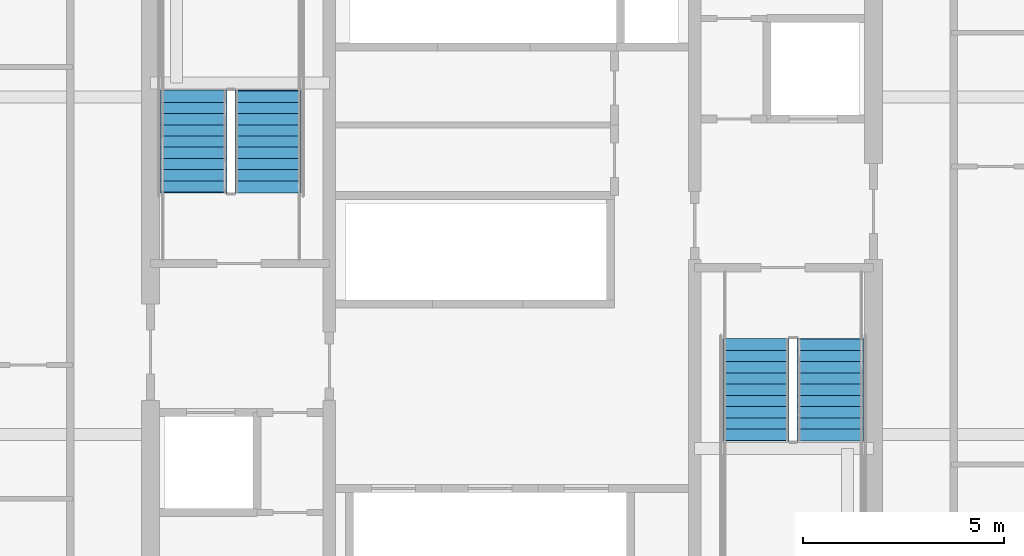
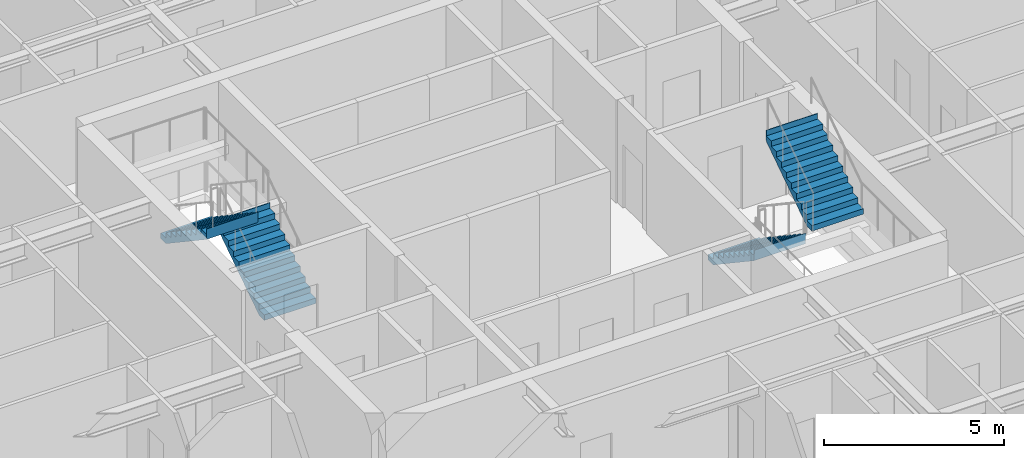
# One storey, part 34 of 41: 4 stair flights, 2 elements without a shape of their own.
"""IFC4 building model written with IfcOpenShell, lengths in metres."""

from ifc_helpers import new_model, si_unit, direction, frame, origin, place, context, subcontext, project, spatial, polygons, material, type_object, element, aggregate, save


model = new_model("IFC4")

# Units and contexts
model_context = context("Model", 3, precision=1e-05, world=origin(), true_north=direction((0.0, 1.0)))
body_context = subcontext(model_context, "Body", "Model", "MODEL_VIEW")
ifc_project = project(units=[si_unit("LENGTHUNIT", "METRE"), si_unit("AREAUNIT", "SQUARE_METRE"), si_unit("VOLUMEUNIT", "CUBIC_METRE"), si_unit("PLANEANGLEUNIT", "RADIAN"), si_unit("MASSUNIT", "GRAM", prefix="KILO")], contexts=[model_context])

# Site, building, storey
site_placement = place(None, origin())
site = spatial("IfcSite", under=ifc_project, at=site_placement, CompositionType="ELEMENT")
building_placement = place(site_placement, origin())
building = spatial("IfcBuilding", under=site, at=building_placement, Name="Serunith Strait Residences", CompositionType="ELEMENT")
storey_placement = place(building_placement, frame((0.0, 0.0, 75.449951171875)))
storey = spatial("IfcBuildingStorey", under=building, at=storey_placement, Name="L18", CompositionType="ELEMENT", Elevation=75.449951171875)

# Stair, stair flights
ifc_material = material(Name="Concrete C50/60", Category="concrete")
stair_type_1 = type_object("IfcStairType", Name="STR-CORE-1", PredefinedType="HALF_TURN_STAIR", material=ifc_material)
stair_1_placement = place(storey_placement, origin())
stair_1 = element("IfcStair", 1, at=stair_1_placement, inside=storey, type_object=stair_type_1, Name="L18 Protected Escape Stair ST-1", PredefinedType="HALF_TURN_STAIR")
stair_flight_type_1 = type_object("IfcStairFlightType", Name="FLT-CORE-1", PredefinedType="STRAIGHT", material=ifc_material)
stair_flight_1_placement = place(storey_placement, frame((26.324951171875, 27.030029296875, 0.0), z_axis=(0.0, 0.0, 1.0), x_axis=(0.0, 1.0, 0.0)))
stair_flight_1 = element("IfcStairFlight", 2, at=stair_flight_1_placement, type_object=stair_flight_type_1, Name="ST-1 flight 1", NumberOfRisers=10, NumberOfTreads=9, PredefinedType="STRAIGHT", RiserHeight=0.1875, TreadLength=0.28, context=body_context, shape_type="Tessellation", body=[
    polygons([(-0.02001953125, -0.824951171875, 0.0), (-0.02001953125, -0.824951171875, 0.1875), (0.280029296875, -0.824951171875, 0.1875), (0.280029296875, -0.824951171875, 0.375), (0.56005859375, -0.824951171875, 0.375), (0.56005859375, -0.824951171875, 0.5625), (0.840087890625, -0.824951171875, 0.5625), (0.840087890625, -0.824951171875, 0.75), (1.1201171875, -0.824951171875, 0.75), (1.1201171875, -0.824951171875, 0.9375), (1.39990234375, -0.824951171875, 0.9375), (1.39990234375, -0.824951171875, 1.125), (1.679931640625, -0.824951171875, 1.125), (1.679931640625, -0.824951171875, 1.3125), (1.9599609375, -0.824951171875, 1.3125), (1.9599609375, -0.824951171875, 1.5), (2.239990234375, -0.824951171875, 1.5), (2.239990234375, -0.824951171875, 1.6875), (2.52001953125, -0.824951171875, 1.6875), (2.52001953125, -0.824951171875, 1.875), (2.5400390625, -0.824951171875, 1.875), (2.5400390625, -0.824951171875, 1.81494140625), (2.52001953125, -0.824951171875, 1.507080078125), (0.26953125, -0.824951171875, 0.0), (-0.02001953125, -0.41259765625, 0.0), (-0.02001953125, -0.41259765625, 0.1875), (0.280029296875, -0.41259765625, 0.1875), (0.280029296875, -0.41259765625, 0.375), (0.56005859375, -0.41259765625, 0.375), (0.56005859375, -0.41259765625, 0.5625), (0.840087890625, -0.41259765625, 0.5625), (0.840087890625, -0.41259765625, 0.75), (1.1201171875, -0.41259765625, 0.75), (1.1201171875, -0.41259765625, 0.9375), (1.39990234375, -0.41259765625, 0.9375), (1.39990234375, -0.41259765625, 1.125), (1.679931640625, -0.41259765625, 1.125), (1.679931640625, -0.41259765625, 1.3125), (1.9599609375, -0.41259765625, 1.3125), (1.9599609375, -0.41259765625, 1.5), (2.239990234375, -0.41259765625, 1.5), (2.239990234375, -0.41259765625, 1.6875), (2.52001953125, -0.41259765625, 1.6875), (2.52001953125, -0.41259765625, 1.875), (2.5400390625, -0.41259765625, 1.875), (2.5400390625, -0.41259765625, 1.81494140625), (2.52001953125, -0.41259765625, 1.507080078125), (0.26953125, -0.41259765625, 0.0), (-0.02001953125, 0.0, 0.0), (-0.02001953125, 0.0, 0.1875), (0.280029296875, 0.0, 0.1875), (0.280029296875, 0.0, 0.375), (0.56005859375, 0.0, 0.375), (0.56005859375, 0.0, 0.5625), (0.840087890625, 0.0, 0.5625), (0.840087890625, 0.0, 0.75), (1.1201171875, 0.0, 0.75), (1.1201171875, 0.0, 0.9375), (1.39990234375, 0.0, 0.9375), (1.39990234375, 0.0, 1.125), (1.679931640625, 0.0, 1.125), (1.679931640625, 0.0, 1.3125), (1.9599609375, 0.0, 1.3125), (1.9599609375, 0.0, 1.5), (2.239990234375, 0.0, 1.5), (2.239990234375, 0.0, 1.6875), (2.52001953125, 0.0, 1.6875), (2.52001953125, 0.0, 1.875), (2.5400390625, 0.0, 1.875), (2.5400390625, 0.0, 1.81494140625), (2.52001953125, 0.0, 1.507080078125), (0.26953125, 0.0, 0.0), (-0.02001953125, 0.41259765625, 0.0), (-0.02001953125, 0.41259765625, 0.1875), (0.280029296875, 0.41259765625, 0.1875), (0.280029296875, 0.41259765625, 0.375), (0.56005859375, 0.41259765625, 0.375), (0.56005859375, 0.41259765625, 0.5625), (0.840087890625, 0.41259765625, 0.5625), (0.840087890625, 0.41259765625, 0.75), (1.1201171875, 0.41259765625, 0.75), (1.1201171875, 0.41259765625, 0.9375), (1.39990234375, 0.41259765625, 0.9375), (1.39990234375, 0.41259765625, 1.125), (1.679931640625, 0.41259765625, 1.125), (1.679931640625, 0.41259765625, 1.3125), (1.9599609375, 0.41259765625, 1.3125), (1.9599609375, 0.41259765625, 1.5), (2.239990234375, 0.41259765625, 1.5), (2.239990234375, 0.41259765625, 1.6875), (2.52001953125, 0.41259765625, 1.6875), (2.52001953125, 0.41259765625, 1.875), (2.5400390625, 0.41259765625, 1.875), (2.5400390625, 0.41259765625, 1.81494140625), (2.52001953125, 0.41259765625, 1.507080078125), (0.26953125, 0.41259765625, 0.0), (-0.02001953125, 0.824951171875, 0.0), (-0.02001953125, 0.824951171875, 0.1875), (0.280029296875, 0.824951171875, 0.1875), (0.280029296875, 0.824951171875, 0.375), (0.56005859375, 0.824951171875, 0.375), (0.56005859375, 0.824951171875, 0.5625), (0.840087890625, 0.824951171875, 0.5625), (0.840087890625, 0.824951171875, 0.75), (1.1201171875, 0.824951171875, 0.75), (1.1201171875, 0.824951171875, 0.9375), (1.39990234375, 0.824951171875, 0.9375), (1.39990234375, 0.824951171875, 1.125), (1.679931640625, 0.824951171875, 1.125), (1.679931640625, 0.824951171875, 1.3125), (1.9599609375, 0.824951171875, 1.3125), (1.9599609375, 0.824951171875, 1.5), (2.239990234375, 0.824951171875, 1.5), (2.239990234375, 0.824951171875, 1.6875), (2.52001953125, 0.824951171875, 1.6875), (2.52001953125, 0.824951171875, 1.875), (2.5400390625, 0.824951171875, 1.875), (2.5400390625, 0.824951171875, 1.81494140625), (2.52001953125, 0.824951171875, 1.507080078125), (0.26953125, 0.824951171875, 0.0)], [[[1, 2, 26, 25]], [[2, 3, 27, 26]], [[3, 4, 28, 27]], [[4, 5, 29, 28]], [[5, 6, 30, 29]], [[6, 7, 31, 30]], [[7, 8, 32, 31]], [[8, 9, 33, 32]], [[9, 10, 34, 33]], [[10, 11, 35, 34]], [[11, 12, 36, 35]], [[12, 13, 37, 36]], [[13, 14, 38, 37]], [[14, 15, 39, 38]], [[15, 16, 40, 39]], [[16, 17, 41, 40]], [[17, 18, 42, 41]], [[18, 19, 43, 42]], [[19, 20, 44, 43]], [[20, 21, 45, 44]], [[21, 22, 46, 45]], [[22, 23, 47, 46]], [[23, 24, 48, 47]], [[24, 1, 25, 48]], [[25, 26, 50, 49]], [[26, 27, 51, 50]], [[27, 28, 52, 51]], [[28, 29, 53, 52]], [[29, 30, 54, 53]], [[30, 31, 55, 54]], [[31, 32, 56, 55]], [[32, 33, 57, 56]], [[33, 34, 58, 57]], [[34, 35, 59, 58]], [[35, 36, 60, 59]], [[36, 37, 61, 60]], [[37, 38, 62, 61]], [[38, 39, 63, 62]], [[39, 40, 64, 63]], [[40, 41, 65, 64]], [[41, 42, 66, 65]], [[42, 43, 67, 66]], [[43, 44, 68, 67]], [[44, 45, 69, 68]], [[45, 46, 70, 69]], [[46, 47, 71, 70]], [[47, 48, 72, 71]], [[48, 25, 49, 72]], [[49, 50, 74, 73]], [[50, 51, 75, 74]], [[51, 52, 76, 75]], [[52, 53, 77, 76]], [[53, 54, 78, 77]], [[54, 55, 79, 78]], [[55, 56, 80, 79]], [[56, 57, 81, 80]], [[57, 58, 82, 81]], [[58, 59, 83, 82]], [[59, 60, 84, 83]], [[60, 61, 85, 84]], [[61, 62, 86, 85]], [[62, 63, 87, 86]], [[63, 64, 88, 87]], [[64, 65, 89, 88]], [[65, 66, 90, 89]], [[66, 67, 91, 90]], [[67, 68, 92, 91]], [[68, 69, 93, 92]], [[69, 70, 94, 93]], [[70, 71, 95, 94]], [[71, 72, 96, 95]], [[72, 49, 73, 96]], [[73, 74, 98, 97]], [[74, 75, 99, 98]], [[75, 76, 100, 99]], [[76, 77, 101, 100]], [[77, 78, 102, 101]], [[78, 79, 103, 102]], [[79, 80, 104, 103]], [[80, 81, 105, 104]], [[81, 82, 106, 105]], [[82, 83, 107, 106]], [[83, 84, 108, 107]], [[84, 85, 109, 108]], [[85, 86, 110, 109]], [[86, 87, 111, 110]], [[87, 88, 112, 111]], [[88, 89, 113, 112]], [[89, 90, 114, 113]], [[90, 91, 115, 114]], [[91, 92, 116, 115]], [[92, 93, 117, 116]], [[93, 94, 118, 117]], [[94, 95, 119, 118]], [[95, 96, 120, 119]], [[96, 73, 97, 120]], [[24, 23, 22, 21, 20, 19, 18, 17, 16, 15, 14, 13, 12, 11, 10, 9, 8, 7, 6, 5, 4, 3, 2, 1]], [[97, 98, 99, 100, 101, 102, 103, 104, 105, 106, 107, 108, 109, 110, 111, 112, 113, 114, 115, 116, 117, 118, 119, 120]]], closed=True),
])
stair_flight_2_placement = place(storey_placement, frame((24.47509765625, 29.550048828125, 1.875), z_axis=(0.0, 0.0, 1.0), x_axis=(0.0, -1.0, 0.0)))
stair_flight_2 = element("IfcStairFlight", 3, at=stair_flight_2_placement, type_object=stair_flight_type_1, Name="ST-1 flight 2", NumberOfRisers=10, NumberOfTreads=9, PredefinedType="STRAIGHT", RiserHeight=0.1875, TreadLength=0.28, context=body_context, shape_type="Tessellation", body=[
    polygons([(-0.02001953125, -0.824951171875, 0.0), (-0.02001953125, -0.824951171875, 0.1875), (0.280029296875, -0.824951171875, 0.1875), (0.280029296875, -0.824951171875, 0.375), (0.56005859375, -0.824951171875, 0.375), (0.56005859375, -0.824951171875, 0.5625), (0.840087890625, -0.824951171875, 0.5625), (0.840087890625, -0.824951171875, 0.75), (1.1201171875, -0.824951171875, 0.75), (1.1201171875, -0.824951171875, 0.9375), (1.39990234375, -0.824951171875, 0.9375), (1.39990234375, -0.824951171875, 1.125), (1.679931640625, -0.824951171875, 1.125), (1.679931640625, -0.824951171875, 1.3125), (1.9599609375, -0.824951171875, 1.3125), (1.9599609375, -0.824951171875, 1.5), (2.239990234375, -0.824951171875, 1.5), (2.239990234375, -0.824951171875, 1.6875), (2.52001953125, -0.824951171875, 1.6875), (2.52001953125, -0.824951171875, 1.875), (2.5400390625, -0.824951171875, 1.875), (2.5400390625, -0.824951171875, 1.81494140625), (2.52001953125, -0.824951171875, 1.507080078125), (0.26953125, -0.824951171875, 0.0), (-0.02001953125, -0.41259765625, 0.0), (-0.02001953125, -0.41259765625, 0.1875), (0.280029296875, -0.41259765625, 0.1875), (0.280029296875, -0.41259765625, 0.375), (0.56005859375, -0.41259765625, 0.375), (0.56005859375, -0.41259765625, 0.5625), (0.840087890625, -0.41259765625, 0.5625), (0.840087890625, -0.41259765625, 0.75), (1.1201171875, -0.41259765625, 0.75), (1.1201171875, -0.41259765625, 0.9375), (1.39990234375, -0.41259765625, 0.9375), (1.39990234375, -0.41259765625, 1.125), (1.679931640625, -0.41259765625, 1.125), (1.679931640625, -0.41259765625, 1.3125), (1.9599609375, -0.41259765625, 1.3125), (1.9599609375, -0.41259765625, 1.5), (2.239990234375, -0.41259765625, 1.5), (2.239990234375, -0.41259765625, 1.6875), (2.52001953125, -0.41259765625, 1.6875), (2.52001953125, -0.41259765625, 1.875), (2.5400390625, -0.41259765625, 1.875), (2.5400390625, -0.41259765625, 1.81494140625), (2.52001953125, -0.41259765625, 1.507080078125), (0.26953125, -0.41259765625, 0.0), (-0.02001953125, 0.0, 0.0), (-0.02001953125, 0.0, 0.1875), (0.280029296875, 0.0, 0.1875), (0.280029296875, 0.0, 0.375), (0.56005859375, 0.0, 0.375), (0.56005859375, 0.0, 0.5625), (0.840087890625, 0.0, 0.5625), (0.840087890625, 0.0, 0.75), (1.1201171875, 0.0, 0.75), (1.1201171875, 0.0, 0.9375), (1.39990234375, 0.0, 0.9375), (1.39990234375, 0.0, 1.125), (1.679931640625, 0.0, 1.125), (1.679931640625, 0.0, 1.3125), (1.9599609375, 0.0, 1.3125), (1.9599609375, 0.0, 1.5), (2.239990234375, 0.0, 1.5), (2.239990234375, 0.0, 1.6875), (2.52001953125, 0.0, 1.6875), (2.52001953125, 0.0, 1.875), (2.5400390625, 0.0, 1.875), (2.5400390625, 0.0, 1.81494140625), (2.52001953125, 0.0, 1.507080078125), (0.26953125, 0.0, 0.0), (-0.02001953125, 0.41259765625, 0.0), (-0.02001953125, 0.41259765625, 0.1875), (0.280029296875, 0.41259765625, 0.1875), (0.280029296875, 0.41259765625, 0.375), (0.56005859375, 0.41259765625, 0.375), (0.56005859375, 0.41259765625, 0.5625), (0.840087890625, 0.41259765625, 0.5625), (0.840087890625, 0.41259765625, 0.75), (1.1201171875, 0.41259765625, 0.75), (1.1201171875, 0.41259765625, 0.9375), (1.39990234375, 0.41259765625, 0.9375), (1.39990234375, 0.41259765625, 1.125), (1.679931640625, 0.41259765625, 1.125), (1.679931640625, 0.41259765625, 1.3125), (1.9599609375, 0.41259765625, 1.3125), (1.9599609375, 0.41259765625, 1.5), (2.239990234375, 0.41259765625, 1.5), (2.239990234375, 0.41259765625, 1.6875), (2.52001953125, 0.41259765625, 1.6875), (2.52001953125, 0.41259765625, 1.875), (2.5400390625, 0.41259765625, 1.875), (2.5400390625, 0.41259765625, 1.81494140625), (2.52001953125, 0.41259765625, 1.507080078125), (0.26953125, 0.41259765625, 0.0), (-0.02001953125, 0.824951171875, 0.0), (-0.02001953125, 0.824951171875, 0.1875), (0.280029296875, 0.824951171875, 0.1875), (0.280029296875, 0.824951171875, 0.375), (0.56005859375, 0.824951171875, 0.375), (0.56005859375, 0.824951171875, 0.5625), (0.840087890625, 0.824951171875, 0.5625), (0.840087890625, 0.824951171875, 0.75), (1.1201171875, 0.824951171875, 0.75), (1.1201171875, 0.824951171875, 0.9375), (1.39990234375, 0.824951171875, 0.9375), (1.39990234375, 0.824951171875, 1.125), (1.679931640625, 0.824951171875, 1.125), (1.679931640625, 0.824951171875, 1.3125), (1.9599609375, 0.824951171875, 1.3125), (1.9599609375, 0.824951171875, 1.5), (2.239990234375, 0.824951171875, 1.5), (2.239990234375, 0.824951171875, 1.6875), (2.52001953125, 0.824951171875, 1.6875), (2.52001953125, 0.824951171875, 1.875), (2.5400390625, 0.824951171875, 1.875), (2.5400390625, 0.824951171875, 1.81494140625), (2.52001953125, 0.824951171875, 1.507080078125), (0.26953125, 0.824951171875, 0.0)], [[[1, 2, 26, 25]], [[2, 3, 27, 26]], [[3, 4, 28, 27]], [[4, 5, 29, 28]], [[5, 6, 30, 29]], [[6, 7, 31, 30]], [[7, 8, 32, 31]], [[8, 9, 33, 32]], [[9, 10, 34, 33]], [[10, 11, 35, 34]], [[11, 12, 36, 35]], [[12, 13, 37, 36]], [[13, 14, 38, 37]], [[14, 15, 39, 38]], [[15, 16, 40, 39]], [[16, 17, 41, 40]], [[17, 18, 42, 41]], [[18, 19, 43, 42]], [[19, 20, 44, 43]], [[20, 21, 45, 44]], [[21, 22, 46, 45]], [[22, 23, 47, 46]], [[23, 24, 48, 47]], [[24, 1, 25, 48]], [[25, 26, 50, 49]], [[26, 27, 51, 50]], [[27, 28, 52, 51]], [[28, 29, 53, 52]], [[29, 30, 54, 53]], [[30, 31, 55, 54]], [[31, 32, 56, 55]], [[32, 33, 57, 56]], [[33, 34, 58, 57]], [[34, 35, 59, 58]], [[35, 36, 60, 59]], [[36, 37, 61, 60]], [[37, 38, 62, 61]], [[38, 39, 63, 62]], [[39, 40, 64, 63]], [[40, 41, 65, 64]], [[41, 42, 66, 65]], [[42, 43, 67, 66]], [[43, 44, 68, 67]], [[44, 45, 69, 68]], [[45, 46, 70, 69]], [[46, 47, 71, 70]], [[47, 48, 72, 71]], [[48, 25, 49, 72]], [[49, 50, 74, 73]], [[50, 51, 75, 74]], [[51, 52, 76, 75]], [[52, 53, 77, 76]], [[53, 54, 78, 77]], [[54, 55, 79, 78]], [[55, 56, 80, 79]], [[56, 57, 81, 80]], [[57, 58, 82, 81]], [[58, 59, 83, 82]], [[59, 60, 84, 83]], [[60, 61, 85, 84]], [[61, 62, 86, 85]], [[62, 63, 87, 86]], [[63, 64, 88, 87]], [[64, 65, 89, 88]], [[65, 66, 90, 89]], [[66, 67, 91, 90]], [[67, 68, 92, 91]], [[68, 69, 93, 92]], [[69, 70, 94, 93]], [[70, 71, 95, 94]], [[71, 72, 96, 95]], [[72, 49, 73, 96]], [[73, 74, 98, 97]], [[74, 75, 99, 98]], [[75, 76, 100, 99]], [[76, 77, 101, 100]], [[77, 78, 102, 101]], [[78, 79, 103, 102]], [[79, 80, 104, 103]], [[80, 81, 105, 104]], [[81, 82, 106, 105]], [[82, 83, 107, 106]], [[83, 84, 108, 107]], [[84, 85, 109, 108]], [[85, 86, 110, 109]], [[86, 87, 111, 110]], [[87, 88, 112, 111]], [[88, 89, 113, 112]], [[89, 90, 114, 113]], [[90, 91, 115, 114]], [[91, 92, 116, 115]], [[92, 93, 117, 116]], [[93, 94, 118, 117]], [[94, 95, 119, 118]], [[95, 96, 120, 119]], [[96, 73, 97, 120]], [[24, 23, 22, 21, 20, 19, 18, 17, 16, 15, 14, 13, 12, 11, 10, 9, 8, 7, 6, 5, 4, 3, 2, 1]], [[97, 98, 99, 100, 101, 102, 103, 104, 105, 106, 107, 108, 109, 110, 111, 112, 113, 114, 115, 116, 117, 118, 119, 120]]], closed=True),
])
aggregate(stair_1, [stair_flight_1, stair_flight_2])

stair_type_2 = type_object("IfcStairType", Name="STR-CORE-2", PredefinedType="HALF_TURN_STAIR", material=ifc_material)
stair_2_placement = place(storey_placement, origin())
stair_2 = element("IfcStair", 4, at=stair_2_placement, inside=storey, type_object=stair_type_2, Name="L18 Protected Escape Stair ST-2", PredefinedType="HALF_TURN_STAIR")
stair_flight_type_2 = type_object("IfcStairFlightType", Name="FLT-CORE-2", PredefinedType="STRAIGHT", material=ifc_material)
stair_flight_3_placement = place(storey_placement, frame((38.47509765625, 23.3701171875, 0.0), z_axis=(0.0, 0.0, 1.0), x_axis=(0.0, -1.0, 0.0)))
stair_flight_3 = element("IfcStairFlight", 5, at=stair_flight_3_placement, type_object=stair_flight_type_2, Name="ST-2 flight 1", NumberOfRisers=10, NumberOfTreads=9, PredefinedType="STRAIGHT", RiserHeight=0.1875, TreadLength=0.28, context=body_context, shape_type="Tessellation", body=[
    polygons([(-0.02001953125, -0.824951171875, 0.0), (-0.02001953125, -0.824951171875, 0.1875), (0.280029296875, -0.824951171875, 0.1875), (0.280029296875, -0.824951171875, 0.375), (0.56005859375, -0.824951171875, 0.375), (0.56005859375, -0.824951171875, 0.5625), (0.840087890625, -0.824951171875, 0.5625), (0.840087890625, -0.824951171875, 0.75), (1.1201171875, -0.824951171875, 0.75), (1.1201171875, -0.824951171875, 0.9375), (1.39990234375, -0.824951171875, 0.9375), (1.39990234375, -0.824951171875, 1.125), (1.679931640625, -0.824951171875, 1.125), (1.679931640625, -0.824951171875, 1.3125), (1.9599609375, -0.824951171875, 1.3125), (1.9599609375, -0.824951171875, 1.5), (2.239990234375, -0.824951171875, 1.5), (2.239990234375, -0.824951171875, 1.6875), (2.52001953125, -0.824951171875, 1.6875), (2.52001953125, -0.824951171875, 1.875), (2.5400390625, -0.824951171875, 1.875), (2.5400390625, -0.824951171875, 1.81494140625), (2.52001953125, -0.824951171875, 1.507080078125), (0.26953125, -0.824951171875, 0.0), (-0.02001953125, -0.41259765625, 0.0), (-0.02001953125, -0.41259765625, 0.1875), (0.280029296875, -0.41259765625, 0.1875), (0.280029296875, -0.41259765625, 0.375), (0.56005859375, -0.41259765625, 0.375), (0.56005859375, -0.41259765625, 0.5625), (0.840087890625, -0.41259765625, 0.5625), (0.840087890625, -0.41259765625, 0.75), (1.1201171875, -0.41259765625, 0.75), (1.1201171875, -0.41259765625, 0.9375), (1.39990234375, -0.41259765625, 0.9375), (1.39990234375, -0.41259765625, 1.125), (1.679931640625, -0.41259765625, 1.125), (1.679931640625, -0.41259765625, 1.3125), (1.9599609375, -0.41259765625, 1.3125), (1.9599609375, -0.41259765625, 1.5), (2.239990234375, -0.41259765625, 1.5), (2.239990234375, -0.41259765625, 1.6875), (2.52001953125, -0.41259765625, 1.6875), (2.52001953125, -0.41259765625, 1.875), (2.5400390625, -0.41259765625, 1.875), (2.5400390625, -0.41259765625, 1.81494140625), (2.52001953125, -0.41259765625, 1.507080078125), (0.26953125, -0.41259765625, 0.0), (-0.02001953125, 0.0, 0.0), (-0.02001953125, 0.0, 0.1875), (0.280029296875, 0.0, 0.1875), (0.280029296875, 0.0, 0.375), (0.56005859375, 0.0, 0.375), (0.56005859375, 0.0, 0.5625), (0.840087890625, 0.0, 0.5625), (0.840087890625, 0.0, 0.75), (1.1201171875, 0.0, 0.75), (1.1201171875, 0.0, 0.9375), (1.39990234375, 0.0, 0.9375), (1.39990234375, 0.0, 1.125), (1.679931640625, 0.0, 1.125), (1.679931640625, 0.0, 1.3125), (1.9599609375, 0.0, 1.3125), (1.9599609375, 0.0, 1.5), (2.239990234375, 0.0, 1.5), (2.239990234375, 0.0, 1.6875), (2.52001953125, 0.0, 1.6875), (2.52001953125, 0.0, 1.875), (2.5400390625, 0.0, 1.875), (2.5400390625, 0.0, 1.81494140625), (2.52001953125, 0.0, 1.507080078125), (0.26953125, 0.0, 0.0), (-0.02001953125, 0.41259765625, 0.0), (-0.02001953125, 0.41259765625, 0.1875), (0.280029296875, 0.41259765625, 0.1875), (0.280029296875, 0.41259765625, 0.375), (0.56005859375, 0.41259765625, 0.375), (0.56005859375, 0.41259765625, 0.5625), (0.840087890625, 0.41259765625, 0.5625), (0.840087890625, 0.41259765625, 0.75), (1.1201171875, 0.41259765625, 0.75), (1.1201171875, 0.41259765625, 0.9375), (1.39990234375, 0.41259765625, 0.9375), (1.39990234375, 0.41259765625, 1.125), (1.679931640625, 0.41259765625, 1.125), (1.679931640625, 0.41259765625, 1.3125), (1.9599609375, 0.41259765625, 1.3125), (1.9599609375, 0.41259765625, 1.5), (2.239990234375, 0.41259765625, 1.5), (2.239990234375, 0.41259765625, 1.6875), (2.52001953125, 0.41259765625, 1.6875), (2.52001953125, 0.41259765625, 1.875), (2.5400390625, 0.41259765625, 1.875), (2.5400390625, 0.41259765625, 1.81494140625), (2.52001953125, 0.41259765625, 1.507080078125), (0.26953125, 0.41259765625, 0.0), (-0.02001953125, 0.824951171875, 0.0), (-0.02001953125, 0.824951171875, 0.1875), (0.280029296875, 0.824951171875, 0.1875), (0.280029296875, 0.824951171875, 0.375), (0.56005859375, 0.824951171875, 0.375), (0.56005859375, 0.824951171875, 0.5625), (0.840087890625, 0.824951171875, 0.5625), (0.840087890625, 0.824951171875, 0.75), (1.1201171875, 0.824951171875, 0.75), (1.1201171875, 0.824951171875, 0.9375), (1.39990234375, 0.824951171875, 0.9375), (1.39990234375, 0.824951171875, 1.125), (1.679931640625, 0.824951171875, 1.125), (1.679931640625, 0.824951171875, 1.3125), (1.9599609375, 0.824951171875, 1.3125), (1.9599609375, 0.824951171875, 1.5), (2.239990234375, 0.824951171875, 1.5), (2.239990234375, 0.824951171875, 1.6875), (2.52001953125, 0.824951171875, 1.6875), (2.52001953125, 0.824951171875, 1.875), (2.5400390625, 0.824951171875, 1.875), (2.5400390625, 0.824951171875, 1.81494140625), (2.52001953125, 0.824951171875, 1.507080078125), (0.26953125, 0.824951171875, 0.0)], [[[1, 2, 26, 25]], [[2, 3, 27, 26]], [[3, 4, 28, 27]], [[4, 5, 29, 28]], [[5, 6, 30, 29]], [[6, 7, 31, 30]], [[7, 8, 32, 31]], [[8, 9, 33, 32]], [[9, 10, 34, 33]], [[10, 11, 35, 34]], [[11, 12, 36, 35]], [[12, 13, 37, 36]], [[13, 14, 38, 37]], [[14, 15, 39, 38]], [[15, 16, 40, 39]], [[16, 17, 41, 40]], [[17, 18, 42, 41]], [[18, 19, 43, 42]], [[19, 20, 44, 43]], [[20, 21, 45, 44]], [[21, 22, 46, 45]], [[22, 23, 47, 46]], [[23, 24, 48, 47]], [[24, 1, 25, 48]], [[25, 26, 50, 49]], [[26, 27, 51, 50]], [[27, 28, 52, 51]], [[28, 29, 53, 52]], [[29, 30, 54, 53]], [[30, 31, 55, 54]], [[31, 32, 56, 55]], [[32, 33, 57, 56]], [[33, 34, 58, 57]], [[34, 35, 59, 58]], [[35, 36, 60, 59]], [[36, 37, 61, 60]], [[37, 38, 62, 61]], [[38, 39, 63, 62]], [[39, 40, 64, 63]], [[40, 41, 65, 64]], [[41, 42, 66, 65]], [[42, 43, 67, 66]], [[43, 44, 68, 67]], [[44, 45, 69, 68]], [[45, 46, 70, 69]], [[46, 47, 71, 70]], [[47, 48, 72, 71]], [[48, 25, 49, 72]], [[49, 50, 74, 73]], [[50, 51, 75, 74]], [[51, 52, 76, 75]], [[52, 53, 77, 76]], [[53, 54, 78, 77]], [[54, 55, 79, 78]], [[55, 56, 80, 79]], [[56, 57, 81, 80]], [[57, 58, 82, 81]], [[58, 59, 83, 82]], [[59, 60, 84, 83]], [[60, 61, 85, 84]], [[61, 62, 86, 85]], [[62, 63, 87, 86]], [[63, 64, 88, 87]], [[64, 65, 89, 88]], [[65, 66, 90, 89]], [[66, 67, 91, 90]], [[67, 68, 92, 91]], [[68, 69, 93, 92]], [[69, 70, 94, 93]], [[70, 71, 95, 94]], [[71, 72, 96, 95]], [[72, 49, 73, 96]], [[73, 74, 98, 97]], [[74, 75, 99, 98]], [[75, 76, 100, 99]], [[76, 77, 101, 100]], [[77, 78, 102, 101]], [[78, 79, 103, 102]], [[79, 80, 104, 103]], [[80, 81, 105, 104]], [[81, 82, 106, 105]], [[82, 83, 107, 106]], [[83, 84, 108, 107]], [[84, 85, 109, 108]], [[85, 86, 110, 109]], [[86, 87, 111, 110]], [[87, 88, 112, 111]], [[88, 89, 113, 112]], [[89, 90, 114, 113]], [[90, 91, 115, 114]], [[91, 92, 116, 115]], [[92, 93, 117, 116]], [[93, 94, 118, 117]], [[94, 95, 119, 118]], [[95, 96, 120, 119]], [[96, 73, 97, 120]], [[24, 23, 22, 21, 20, 19, 18, 17, 16, 15, 14, 13, 12, 11, 10, 9, 8, 7, 6, 5, 4, 3, 2, 1]], [[97, 98, 99, 100, 101, 102, 103, 104, 105, 106, 107, 108, 109, 110, 111, 112, 113, 114, 115, 116, 117, 118, 119, 120]]], closed=True),
])
stair_flight_4_placement = place(storey_placement, frame((40.324951171875, 20.85009765625, 1.875), z_axis=(0.0, 0.0, 1.0), x_axis=(0.0, 1.0, 0.0)))
stair_flight_4 = element("IfcStairFlight", 6, at=stair_flight_4_placement, type_object=stair_flight_type_2, Name="ST-2 flight 2", NumberOfRisers=10, NumberOfTreads=9, PredefinedType="STRAIGHT", RiserHeight=0.1875, TreadLength=0.28, context=body_context, shape_type="Tessellation", body=[
    polygons([(-0.02001953125, -0.824951171875, 0.0), (-0.02001953125, -0.824951171875, 0.1875), (0.280029296875, -0.824951171875, 0.1875), (0.280029296875, -0.824951171875, 0.375), (0.56005859375, -0.824951171875, 0.375), (0.56005859375, -0.824951171875, 0.5625), (0.840087890625, -0.824951171875, 0.5625), (0.840087890625, -0.824951171875, 0.75), (1.1201171875, -0.824951171875, 0.75), (1.1201171875, -0.824951171875, 0.9375), (1.39990234375, -0.824951171875, 0.9375), (1.39990234375, -0.824951171875, 1.125), (1.679931640625, -0.824951171875, 1.125), (1.679931640625, -0.824951171875, 1.3125), (1.9599609375, -0.824951171875, 1.3125), (1.9599609375, -0.824951171875, 1.5), (2.239990234375, -0.824951171875, 1.5), (2.239990234375, -0.824951171875, 1.6875), (2.52001953125, -0.824951171875, 1.6875), (2.52001953125, -0.824951171875, 1.875), (2.5400390625, -0.824951171875, 1.875), (2.5400390625, -0.824951171875, 1.81494140625), (2.52001953125, -0.824951171875, 1.507080078125), (0.26953125, -0.824951171875, 0.0), (-0.02001953125, -0.41259765625, 0.0), (-0.02001953125, -0.41259765625, 0.1875), (0.280029296875, -0.41259765625, 0.1875), (0.280029296875, -0.41259765625, 0.375), (0.56005859375, -0.41259765625, 0.375), (0.56005859375, -0.41259765625, 0.5625), (0.840087890625, -0.41259765625, 0.5625), (0.840087890625, -0.41259765625, 0.75), (1.1201171875, -0.41259765625, 0.75), (1.1201171875, -0.41259765625, 0.9375), (1.39990234375, -0.41259765625, 0.9375), (1.39990234375, -0.41259765625, 1.125), (1.679931640625, -0.41259765625, 1.125), (1.679931640625, -0.41259765625, 1.3125), (1.9599609375, -0.41259765625, 1.3125), (1.9599609375, -0.41259765625, 1.5), (2.239990234375, -0.41259765625, 1.5), (2.239990234375, -0.41259765625, 1.6875), (2.52001953125, -0.41259765625, 1.6875), (2.52001953125, -0.41259765625, 1.875), (2.5400390625, -0.41259765625, 1.875), (2.5400390625, -0.41259765625, 1.81494140625), (2.52001953125, -0.41259765625, 1.507080078125), (0.26953125, -0.41259765625, 0.0), (-0.02001953125, 0.0, 0.0), (-0.02001953125, 0.0, 0.1875), (0.280029296875, 0.0, 0.1875), (0.280029296875, 0.0, 0.375), (0.56005859375, 0.0, 0.375), (0.56005859375, 0.0, 0.5625), (0.840087890625, 0.0, 0.5625), (0.840087890625, 0.0, 0.75), (1.1201171875, 0.0, 0.75), (1.1201171875, 0.0, 0.9375), (1.39990234375, 0.0, 0.9375), (1.39990234375, 0.0, 1.125), (1.679931640625, 0.0, 1.125), (1.679931640625, 0.0, 1.3125), (1.9599609375, 0.0, 1.3125), (1.9599609375, 0.0, 1.5), (2.239990234375, 0.0, 1.5), (2.239990234375, 0.0, 1.6875), (2.52001953125, 0.0, 1.6875), (2.52001953125, 0.0, 1.875), (2.5400390625, 0.0, 1.875), (2.5400390625, 0.0, 1.81494140625), (2.52001953125, 0.0, 1.507080078125), (0.26953125, 0.0, 0.0), (-0.02001953125, 0.41259765625, 0.0), (-0.02001953125, 0.41259765625, 0.1875), (0.280029296875, 0.41259765625, 0.1875), (0.280029296875, 0.41259765625, 0.375), (0.56005859375, 0.41259765625, 0.375), (0.56005859375, 0.41259765625, 0.5625), (0.840087890625, 0.41259765625, 0.5625), (0.840087890625, 0.41259765625, 0.75), (1.1201171875, 0.41259765625, 0.75), (1.1201171875, 0.41259765625, 0.9375), (1.39990234375, 0.41259765625, 0.9375), (1.39990234375, 0.41259765625, 1.125), (1.679931640625, 0.41259765625, 1.125), (1.679931640625, 0.41259765625, 1.3125), (1.9599609375, 0.41259765625, 1.3125), (1.9599609375, 0.41259765625, 1.5), (2.239990234375, 0.41259765625, 1.5), (2.239990234375, 0.41259765625, 1.6875), (2.52001953125, 0.41259765625, 1.6875), (2.52001953125, 0.41259765625, 1.875), (2.5400390625, 0.41259765625, 1.875), (2.5400390625, 0.41259765625, 1.81494140625), (2.52001953125, 0.41259765625, 1.507080078125), (0.26953125, 0.41259765625, 0.0), (-0.02001953125, 0.824951171875, 0.0), (-0.02001953125, 0.824951171875, 0.1875), (0.280029296875, 0.824951171875, 0.1875), (0.280029296875, 0.824951171875, 0.375), (0.56005859375, 0.824951171875, 0.375), (0.56005859375, 0.824951171875, 0.5625), (0.840087890625, 0.824951171875, 0.5625), (0.840087890625, 0.824951171875, 0.75), (1.1201171875, 0.824951171875, 0.75), (1.1201171875, 0.824951171875, 0.9375), (1.39990234375, 0.824951171875, 0.9375), (1.39990234375, 0.824951171875, 1.125), (1.679931640625, 0.824951171875, 1.125), (1.679931640625, 0.824951171875, 1.3125), (1.9599609375, 0.824951171875, 1.3125), (1.9599609375, 0.824951171875, 1.5), (2.239990234375, 0.824951171875, 1.5), (2.239990234375, 0.824951171875, 1.6875), (2.52001953125, 0.824951171875, 1.6875), (2.52001953125, 0.824951171875, 1.875), (2.5400390625, 0.824951171875, 1.875), (2.5400390625, 0.824951171875, 1.81494140625), (2.52001953125, 0.824951171875, 1.507080078125), (0.26953125, 0.824951171875, 0.0)], [[[1, 2, 26, 25]], [[2, 3, 27, 26]], [[3, 4, 28, 27]], [[4, 5, 29, 28]], [[5, 6, 30, 29]], [[6, 7, 31, 30]], [[7, 8, 32, 31]], [[8, 9, 33, 32]], [[9, 10, 34, 33]], [[10, 11, 35, 34]], [[11, 12, 36, 35]], [[12, 13, 37, 36]], [[13, 14, 38, 37]], [[14, 15, 39, 38]], [[15, 16, 40, 39]], [[16, 17, 41, 40]], [[17, 18, 42, 41]], [[18, 19, 43, 42]], [[19, 20, 44, 43]], [[20, 21, 45, 44]], [[21, 22, 46, 45]], [[22, 23, 47, 46]], [[23, 24, 48, 47]], [[24, 1, 25, 48]], [[25, 26, 50, 49]], [[26, 27, 51, 50]], [[27, 28, 52, 51]], [[28, 29, 53, 52]], [[29, 30, 54, 53]], [[30, 31, 55, 54]], [[31, 32, 56, 55]], [[32, 33, 57, 56]], [[33, 34, 58, 57]], [[34, 35, 59, 58]], [[35, 36, 60, 59]], [[36, 37, 61, 60]], [[37, 38, 62, 61]], [[38, 39, 63, 62]], [[39, 40, 64, 63]], [[40, 41, 65, 64]], [[41, 42, 66, 65]], [[42, 43, 67, 66]], [[43, 44, 68, 67]], [[44, 45, 69, 68]], [[45, 46, 70, 69]], [[46, 47, 71, 70]], [[47, 48, 72, 71]], [[48, 25, 49, 72]], [[49, 50, 74, 73]], [[50, 51, 75, 74]], [[51, 52, 76, 75]], [[52, 53, 77, 76]], [[53, 54, 78, 77]], [[54, 55, 79, 78]], [[55, 56, 80, 79]], [[56, 57, 81, 80]], [[57, 58, 82, 81]], [[58, 59, 83, 82]], [[59, 60, 84, 83]], [[60, 61, 85, 84]], [[61, 62, 86, 85]], [[62, 63, 87, 86]], [[63, 64, 88, 87]], [[64, 65, 89, 88]], [[65, 66, 90, 89]], [[66, 67, 91, 90]], [[67, 68, 92, 91]], [[68, 69, 93, 92]], [[69, 70, 94, 93]], [[70, 71, 95, 94]], [[71, 72, 96, 95]], [[72, 49, 73, 96]], [[73, 74, 98, 97]], [[74, 75, 99, 98]], [[75, 76, 100, 99]], [[76, 77, 101, 100]], [[77, 78, 102, 101]], [[78, 79, 103, 102]], [[79, 80, 104, 103]], [[80, 81, 105, 104]], [[81, 82, 106, 105]], [[82, 83, 107, 106]], [[83, 84, 108, 107]], [[84, 85, 109, 108]], [[85, 86, 110, 109]], [[86, 87, 111, 110]], [[87, 88, 112, 111]], [[88, 89, 113, 112]], [[89, 90, 114, 113]], [[90, 91, 115, 114]], [[91, 92, 116, 115]], [[92, 93, 117, 116]], [[93, 94, 118, 117]], [[94, 95, 119, 118]], [[95, 96, 120, 119]], [[96, 73, 97, 120]], [[24, 23, 22, 21, 20, 19, 18, 17, 16, 15, 14, 13, 12, 11, 10, 9, 8, 7, 6, 5, 4, 3, 2, 1]], [[97, 98, 99, 100, 101, 102, 103, 104, 105, 106, 107, 108, 109, 110, 111, 112, 113, 114, 115, 116, 117, 118, 119, 120]]], closed=True),
])
aggregate(stair_2, [stair_flight_3, stair_flight_4])

save(model, "model.ifc")
